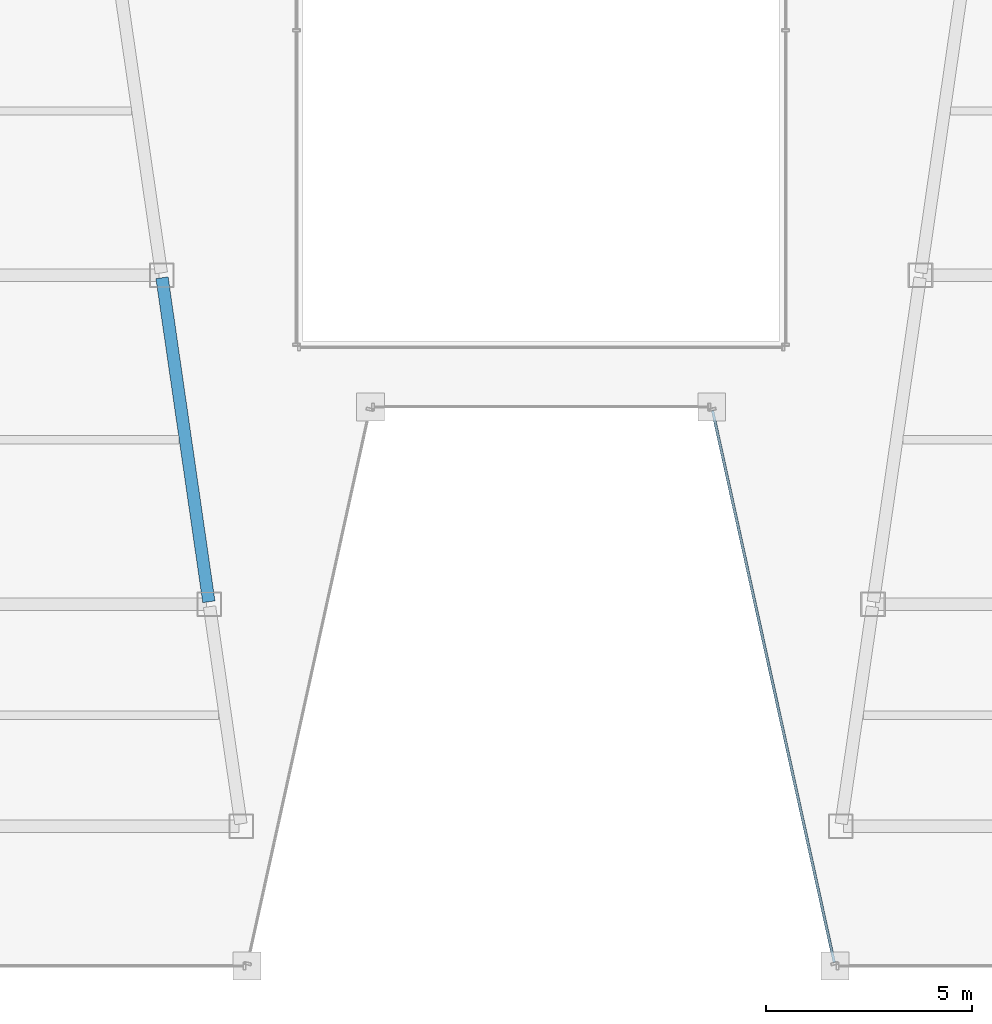
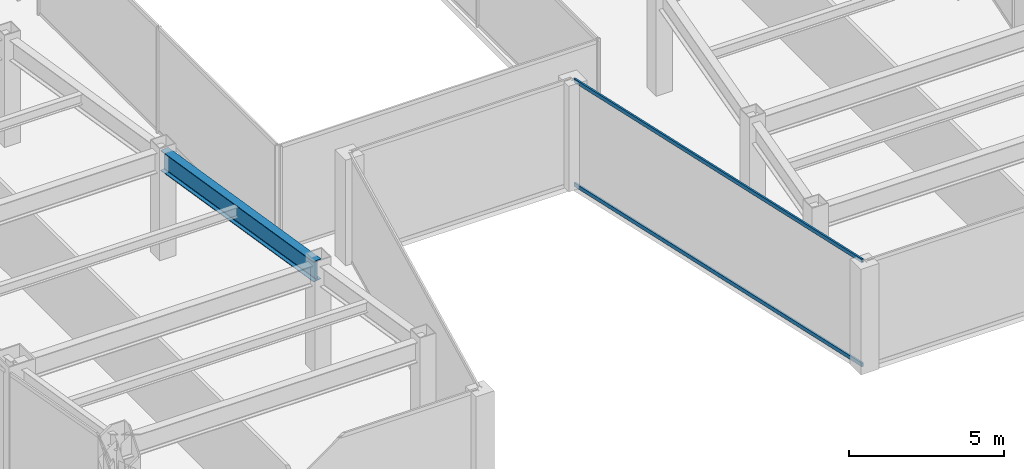
# One storey, part 6 of 37: 2 members, 1 beam, 1 element without a shape of its own.
"""IFC4 building model written with IfcOpenShell, lengths in metres."""

from ifc_helpers import new_model, si_unit, direction, frame, origin, origin_2d, place, context, subcontext, project, spatial, hollow_rectangle, i_section, extrude, material, material_profile, profile_set, type_object, element, aggregate, save


model = new_model("IFC4")

# Units and contexts
model_context = context("Model", 3, precision=1e-05, world=origin(), true_north=direction((0.0, 1.0)))
body_context = subcontext(model_context, "Body", "Model", "MODEL_VIEW")
ifc_project = project(units=[si_unit("LENGTHUNIT", "METRE"), si_unit("AREAUNIT", "SQUARE_METRE"), si_unit("VOLUMEUNIT", "CUBIC_METRE"), si_unit("PLANEANGLEUNIT", "RADIAN"), si_unit("MASSUNIT", "GRAM", prefix="KILO")], contexts=[model_context])

# Site, building, storey
site_placement = place(None, origin())
site = spatial("IfcSite", under=ifc_project, at=site_placement, CompositionType="ELEMENT")
building_placement = place(site_placement, origin())
building = spatial("IfcBuilding", under=site, at=building_placement, Name="Saevonmaru Cultural Tower", CompositionType="ELEMENT")
storey_placement = place(building_placement, frame((0.0, 0.0, 106.0)))
storey = spatial("IfcBuildingStorey", under=building, at=storey_placement, Name="L22", CompositionType="ELEMENT", Elevation=106.0)

# Beam
ifc_material_1 = material(Name="Steel SM420", Category="steel")
ifc_material_profile_1 = material_profile(ifc_material_1, i_section(OverallWidth=0.300048828125, OverallDepth=0.800048828125, WebThickness=0.013916015625, FlangeThickness=0.02587890625, FilletRadius=0.028076171875, at=origin_2d()), Name="H-800x300x14x26")
ifc_profile_set_1 = profile_set([ifc_material_profile_1], Name="Steel SM420")
beam_type = type_object("IfcBeamType", Name="BM-G-H800", PredefinedType="BEAM", material=ifc_profile_set_1)
beam_placement = place(storey_placement, frame((21.91943359375, 16.059326171875, 3.75), z_axis=(-0.143022161059, 0.989719486241, 0.0), x_axis=(-0.989719486241, -0.143022161059, 0.0)))
element("IfcBeam", 1, at=beam_placement, inside=storey, type_object=beam_type, Name="L22 West Atrium Girder 2", PredefinedType="BEAM", context=body_context, shape_type="SweptSolid", body=[
    extrude(i_section(OverallWidth=0.300048828125, OverallDepth=0.800048828125, WebThickness=0.013916015625, FlangeThickness=0.02587890625, FilletRadius=0.028076171875, at=origin_2d()), origin(), (0.0, 0.0, 1.0), 7.963134765625),
])

# Curtain wall, members
ifc_material_2 = material(Name="Satin Bronze Anodised Aluminium", Category="aluminium")
curtain_wall_type = type_object("IfcCurtainWallType", Name="CW-TYP-A", PredefinedType="NOTDEFINED", material=ifc_material_2)
curtain_wall_placement = place(storey_placement, origin())
curtain_wall = element("IfcCurtainWall", 2, at=curtain_wall_placement, inside=storey, type_object=curtain_wall_type, Name="L22 Unitised Curtain Wall E5", PredefinedType="NOTDEFINED")
ifc_material_profile_2 = material_profile(ifc_material_2, hollow_rectangle(XDim=0.06494140625, YDim=0.14990234375, WallThickness=0.00390625, at=origin_2d()), Name="ALU-TRAN-150x65x4")
ifc_profile_set_2 = profile_set([ifc_material_profile_2], Name="Satin Bronze Anodised Aluminium")
member_type = type_object("IfcMemberType", Name="TR-CW-150x65", PredefinedType="USERDEFINED", material=ifc_profile_set_2)
member_1_placement = place(storey_placement, frame((34.1708984375, 20.709716796875, 0.032470703125), z_axis=(0.21541214732, -0.976523223885, 0.0), x_axis=(0.976523223885, 0.21541214732, 0.0)))
member_1 = element("IfcMember", 3, at=member_1_placement, type_object=member_type, Name="CW-TW-L22-E5 transom 1.1", ObjectType="TRANSOM", PredefinedType="USERDEFINED", context=body_context, shape_type="SweptSolid", body=[
    extrude(hollow_rectangle(XDim=0.06494140625, YDim=0.14990234375, WallThickness=0.00390625, at=origin_2d()), origin(), (0.0, 0.0, 1.0), 13.741943359375),
])
member_2_placement = place(storey_placement, frame((34.1708984375, 20.709716796875, 4.117431640625), z_axis=(0.21541214732, -0.976523223885, 0.0), x_axis=(0.976523223885, 0.21541214732, 0.0)))
member_2 = element("IfcMember", 4, at=member_2_placement, type_object=member_type, Name="CW-TW-L22-E5 transom 1.2", ObjectType="TRANSOM", PredefinedType="USERDEFINED", context=body_context, shape_type="SweptSolid", body=[
    extrude(hollow_rectangle(XDim=0.06494140625, YDim=0.14990234375, WallThickness=0.00390625, at=origin_2d()), origin(), (0.0, 0.0, 1.0), 13.741943359375),
])
aggregate(curtain_wall, [member_1, member_2])

save(model, "model.ifc")
